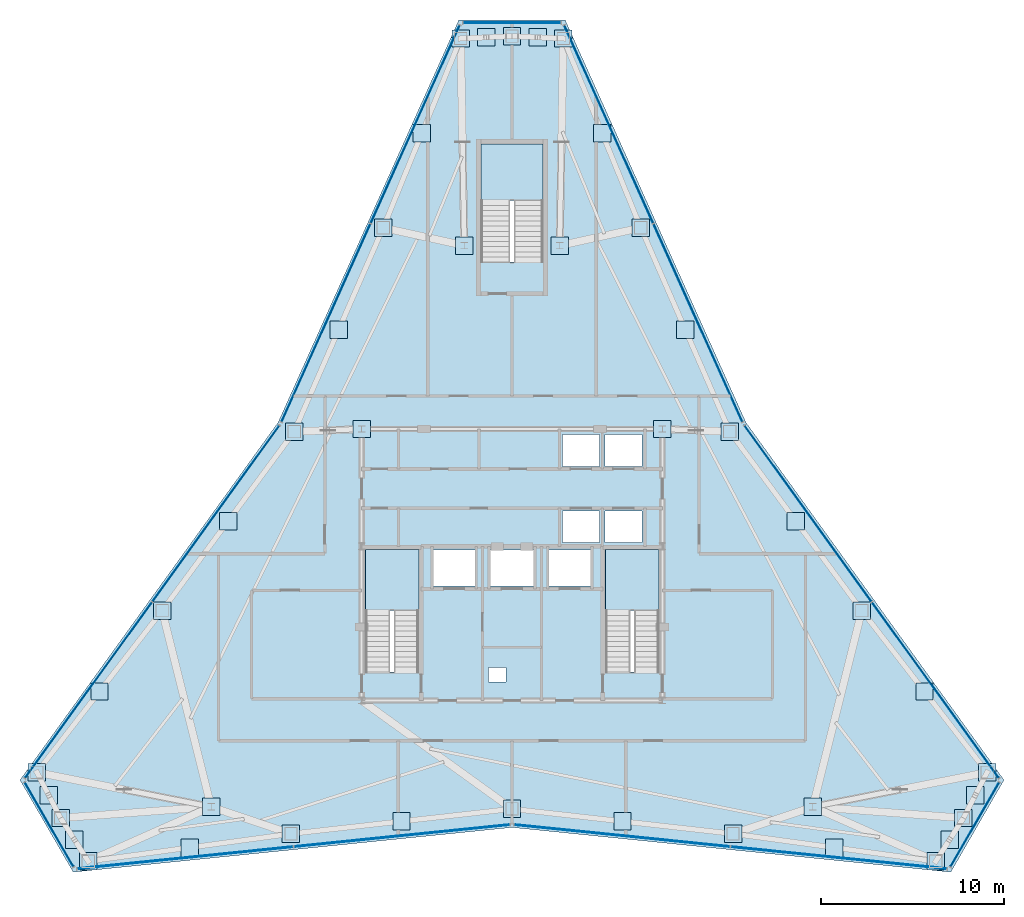
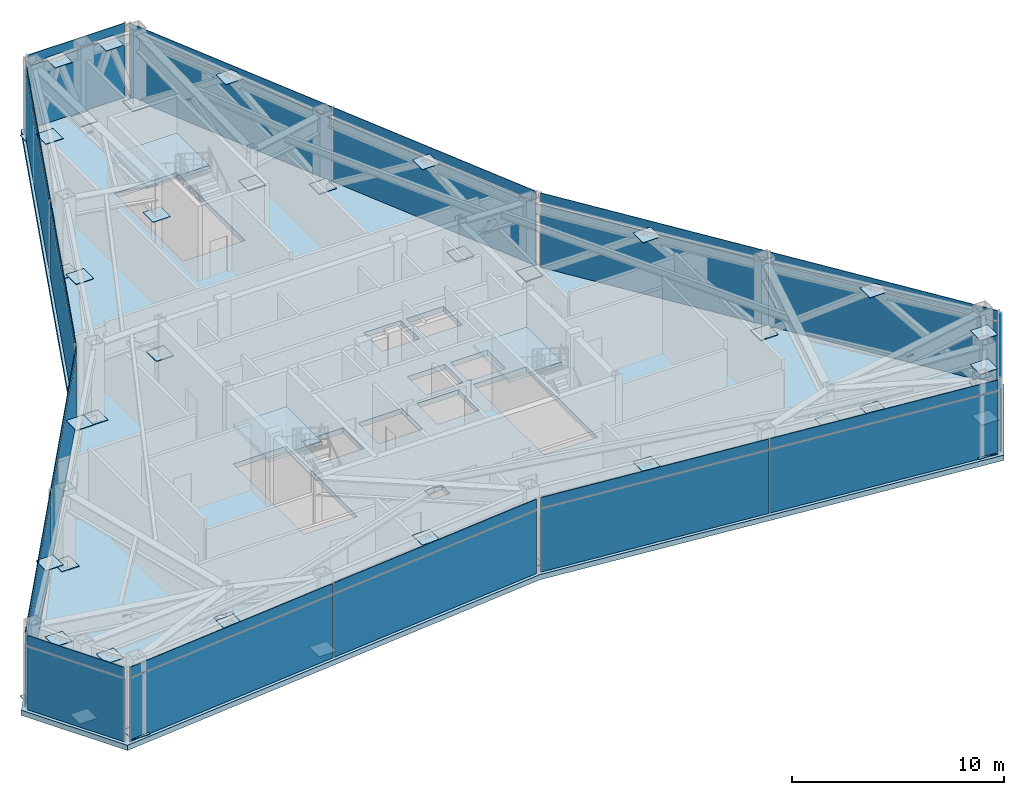
# One storey, part 8 of 12: 72 plates, 4 slabs, 12 elements without a shape of their own.
"""IFC4 building model written with IfcOpenShell, lengths in metres."""

from ifc_helpers import new_model, si_unit, direction, frame, origin, origin_2d, place, context, subcontext, project, spatial, polyline, rectangle, outline, extrude, source, transform, mapped, material, layer, layer_set, type_object, type_shapes, element, aggregate, save


model = new_model("IFC4")

# Units and contexts
model_context = context("Model", 3, precision=1e-05, world=origin(), true_north=direction((0.0, 1.0)))
body_context = subcontext(model_context, "Body", "Model", "MODEL_VIEW")
ifc_project = project(units=[si_unit("LENGTHUNIT", "METRE"), si_unit("AREAUNIT", "SQUARE_METRE"), si_unit("VOLUMEUNIT", "CUBIC_METRE"), si_unit("PLANEANGLEUNIT", "RADIAN"), si_unit("MASSUNIT", "GRAM", prefix="KILO")], contexts=[model_context])

# Site, building, storey
site_placement = place(None, origin())
site = spatial("IfcSite", under=ifc_project, at=site_placement, CompositionType="ELEMENT")
building_placement = place(site_placement, origin())
building = spatial("IfcBuilding", under=site, at=building_placement, Name="Varakhsha Concourse Tower", CompositionType="ELEMENT")
storey_placement = place(building_placement, frame((0.0, 0.0, 250.39990234375)))
storey = spatial("IfcBuildingStorey", under=building, at=storey_placement, Name="L71", CompositionType="ELEMENT", Elevation=250.39990234375)

# Slab
ifc_material_1 = material(Name="Concrete fc 45 MPa", Category="concrete")
ifc_layer_1 = layer(ifc_material_1, 0.300048828125, Name="SL-FLR-300")
ifc_layer_set_1 = layer_set([ifc_layer_1], Name="Concrete fc 45 MPa")
slab_type_1 = type_object("IfcSlabType", Name="SL-FLR-300", PredefinedType="FLOOR", material=ifc_layer_set_1)
slab_1_placement = place(storey_placement, frame((0.0, 0.0, -0.2998046875)))
element("IfcSlab", 1, at=slab_1_placement, inside=storey, type_object=slab_type_1, Name="L71 Composite Structural Slab", PredefinedType="FLOOR", context=body_context, shape_type="SweptSolid", body=[
    extrude(outline(polyline([(42.89990234375, 53.4970703125), (37.10009765625, 53.4970703125), (27.249267578125, 31.5615234375), (13.177978515625, 12.06298828125), (16.077880859375, 7.0400390625), (40.0, 9.476806640625), (63.922119140625, 7.0400390625), (66.822021484375, 12.06298828125), (52.750732421875, 31.5615234375), (42.89990234375, 53.4970703125)]), holes=[polyline([(34.919921875, 17.93994140625), (34.919921875, 24.6298828125), (32.0, 24.6298828125), (32.0, 17.93994140625), (34.919921875, 17.93994140625)]), polyline([(48.02001953125, 17.93994140625), (48.02001953125, 24.6298828125), (45.10009765625, 24.6298828125), (45.10009765625, 17.93994140625), (48.02001953125, 17.93994140625)]), polyline([(41.699951171875, 40.300048828125), (41.699951171875, 46.75), (38.300048828125, 46.75), (38.300048828125, 40.300048828125), (41.699951171875, 40.300048828125)]), polyline([(42.739990234375, 29.159912109375), (44.780029296875, 29.159912109375), (44.780029296875, 30.89990234375), (42.739990234375, 30.89990234375), (42.739990234375, 29.159912109375)]), polyline([(45.06005859375, 29.159912109375), (47.10009765625, 29.159912109375), (47.10009765625, 30.89990234375), (45.06005859375, 30.89990234375), (45.06005859375, 29.159912109375)]), polyline([(42.739990234375, 25.0), (44.780029296875, 25.0), (44.780029296875, 26.739990234375), (42.739990234375, 26.739990234375), (42.739990234375, 25.0)]), polyline([(45.06005859375, 25.0), (47.10009765625, 25.0), (47.10009765625, 26.739990234375), (45.06005859375, 26.739990234375), (45.06005859375, 25.0)]), polyline([(35.7099609375, 22.639892578125), (37.989990234375, 22.639892578125), (37.989990234375, 24.60009765625), (35.7099609375, 24.60009765625), (35.7099609375, 22.639892578125)]), polyline([(42.010009765625, 22.639892578125), (44.2900390625, 22.639892578125), (44.2900390625, 24.60009765625), (42.010009765625, 24.60009765625), (42.010009765625, 22.639892578125)]), polyline([(38.81005859375, 22.639892578125), (41.18994140625, 22.639892578125), (41.18994140625, 24.60009765625), (38.81005859375, 24.60009765625), (38.81005859375, 22.639892578125)]), polyline([(38.719970703125, 17.39990234375), (39.679931640625, 17.39990234375), (39.679931640625, 18.199951171875), (38.719970703125, 18.199951171875), (38.719970703125, 17.39990234375)])]), origin(), (0.0, 0.0, 1.0), 0.2998046875),
])

# Stair, slab
stair_type_1 = type_object("IfcStairType", Name="ST-DOGLEG-1360", PredefinedType="HALF_TURN_STAIR", material=ifc_material_1)
stair_1_placement = place(storey_placement, origin())
stair_1 = element("IfcStair", 2, at=stair_1_placement, inside=storey, type_object=stair_type_1, Name="L71 Protected Exit Stair ST1", PredefinedType="HALF_TURN_STAIR")
ifc_layer_2 = layer(ifc_material_1, 0.199951171875, Name="SL-LAND-200")
ifc_layer_set_2 = layer_set([ifc_layer_2], Name="Concrete fc 45 MPa")
slab_type_2 = type_object("IfcSlabType", Name="SL-LAND-200", PredefinedType="LANDING", material=ifc_layer_set_2)
slab_2_placement = place(storey_placement, frame((0.0, 0.0, 2.10009765625)))
slab_2 = element("IfcSlab", 3, at=slab_2_placement, type_object=slab_type_2, Name="ST1 landing 1", PredefinedType="LANDING", context=body_context, shape_type="SweptSolid", body=[
    extrude(outline(polyline([(34.919921875, 21.300048828125), (34.919921875, 24.6298828125), (32.0, 24.6298828125), (32.0, 21.300048828125), (34.919921875, 21.300048828125)])), origin(), (0.0, 0.0, 1.0), 0.199951171875),
])
aggregate(stair_1, [slab_2])

stair_2_placement = place(storey_placement, origin())
stair_2 = element("IfcStair", 4, at=stair_2_placement, inside=storey, type_object=stair_type_1, Name="L71 Protected Exit Stair ST2", PredefinedType="HALF_TURN_STAIR")
slab_3_placement = place(storey_placement, frame((0.0, 0.0, 2.10009765625)))
slab_3 = element("IfcSlab", 5, at=slab_3_placement, type_object=slab_type_2, Name="ST2 landing 1", PredefinedType="LANDING", context=body_context, shape_type="SweptSolid", body=[
    extrude(outline(polyline([(48.02001953125, 21.300048828125), (48.02001953125, 24.6298828125), (45.10009765625, 24.6298828125), (45.10009765625, 21.300048828125), (48.02001953125, 21.300048828125)])), origin(), (0.0, 0.0, 1.0), 0.199951171875),
])
aggregate(stair_2, [slab_3])

stair_type_2 = type_object("IfcStairType", Name="ST-DOGLEG-1600", PredefinedType="HALF_TURN_STAIR", material=ifc_material_1)
stair_3_placement = place(storey_placement, origin())
stair_3 = element("IfcStair", 6, at=stair_3_placement, inside=storey, type_object=stair_type_2, Name="L71 Protected Exit Stair ST5", PredefinedType="HALF_TURN_STAIR")
slab_4_placement = place(storey_placement, frame((0.0, 0.0, 2.10009765625)))
slab_4 = element("IfcSlab", 7, at=slab_4_placement, type_object=slab_type_2, Name="ST5 landing 1", PredefinedType="LANDING", context=body_context, shape_type="SweptSolid", body=[
    extrude(outline(polyline([(41.699951171875, 43.659912109375), (41.699951171875, 46.75), (38.300048828125, 46.75), (38.300048828125, 43.659912109375), (41.699951171875, 43.659912109375)])), origin(), (0.0, 0.0, 1.0), 0.199951171875),
])
aggregate(stair_3, [slab_4])

# Plates
ifc_material_2 = material(Name="Structural Steel ASTM A572 Grade 50", Category="steel")
ifc_layer_3 = layer(ifc_material_2, 0.030029296875, Name="PL-ENDCAP-950")
ifc_layer_set_3 = layer_set([ifc_layer_3], Name="Structural Steel ASTM A572 Grade 50")
plate_type_1 = type_object("IfcPlateType", Name="PL-ENDCAP-950", PredefinedType="USERDEFINED", material=ifc_layer_set_3)
shared_shape_1 = source(origin(), body_context, "Body", "SweptSolid", [
    extrude(rectangle(XDim=0.949951171875, YDim=0.949951171875, at=origin_2d()), origin(), (0.0, 0.0, 1.0), 0.030029296875),
])
type_shapes(plate_type_1, [shared_shape_1])
for number, where, z_axis, x_axis, name in (
    (8, (42.80029296875, 52.489990234375, 0.10498046875), (0.0, 0.0, 1.0), (1.0, 0.0, 0.0), "Hollow Section End Cap GP-NODE-L71-0724"),
    (9, (41.400146484375, 52.5537109375, 4.03515625), (0.0, 0.0, 1.0), (1.0, 0.0, 0.0), "Hollow Section End Cap GP-NODE-L71-0725"),
    (10, (40.0, 52.6171875, 0.10498046875), (0.0, 0.0, 1.0), (1.0, 0.0, 0.0), "Hollow Section End Cap GP-NODE-L71-0726"),
    (11, (38.599853515625, 52.5537109375, 4.03515625), (0.0, 0.0, 1.0), (1.0, 0.0, 0.0), "Hollow Section End Cap GP-NODE-L71-0727"),
    (12, (37.19970703125, 52.489990234375, 0.10498046875), (0.0, 0.0, 1.0), (1.0, 0.0, 0.0), "Hollow Section End Cap GP-NODE-L71-0728"),
    (13, (35.08837890625, 47.329345703125, 4.03515625), (0.0, 0.0, 1.0), (1.0, 0.0, 0.0), "Hollow Section End Cap GP-NODE-L71-0729"),
    (14, (32.977294921875, 42.168701171875, 0.10498046875), (0.0, 0.0, 1.0), (1.0, 0.0, 0.0), "Hollow Section End Cap GP-NODE-L71-0730"),
    (15, (30.551513671875, 36.6123046875, 4.03515625), (0.0, 0.0, 1.0), (1.0, 0.0, 0.0), "Hollow Section End Cap GP-NODE-L71-0731"),
    (16, (28.125732421875, 31.0556640625, 0.10498046875), (0.0, 0.0, 1.0), (1.0, 0.0, 0.0), "Hollow Section End Cap GP-NODE-L71-0732"),
    (17, (24.5263671875, 26.176513671875, 4.03515625), (0.0, 0.0, 1.0), (1.0, 0.0, 0.0), "Hollow Section End Cap GP-NODE-L71-0733"),
    (18, (20.92724609375, 21.29736328125, 0.10498046875), (0.0, 0.0, 1.0), (1.0, 0.0, 0.0), "Hollow Section End Cap GP-NODE-L71-0734"),
    (19, (17.513671875, 16.888671875, 4.03515625), (0.0, 0.0, 1.0), (1.0, 0.0, 0.0), "Hollow Section End Cap GP-NODE-L71-0735"),
    (20, (14.10009765625, 12.47998046875, 0.10498046875), (0.0, 0.0, 1.0), (1.0, 0.0, 0.0), "Hollow Section End Cap GP-NODE-L71-0736"),
    (21, (14.7451171875, 11.23583984375, 4.03515625), (0.0, 0.0, 1.0), (1.0, 0.0, 0.0), "Hollow Section End Cap GP-NODE-L71-0737"),
    (22, (15.39013671875, 9.991455078125, 0.10498046875), (0.0, 0.0, 1.0), (1.0, 0.0, 0.0), "Hollow Section End Cap GP-NODE-L71-0738"),
    (23, (16.145263671875, 8.810791015625, 4.03515625), (0.0, 0.0, 1.0), (1.0, 0.0, 0.0), "Hollow Section End Cap GP-NODE-L71-0739"),
    (24, (16.900390625, 7.6298828125, 0.10498046875), (0.0, 0.0, 1.0), (1.0, 0.0, 0.0), "Hollow Section End Cap GP-NODE-L71-0740"),
    (25, (22.425048828125, 8.3818359375, 4.03515625), (0.0, 0.0, 1.0), (1.0, 0.0, 0.0), "Hollow Section End Cap GP-NODE-L71-0741"),
    (26, (27.94970703125, 9.1337890625, 0.10498046875), (0.0, 0.0, 1.0), (1.0, 0.0, 0.0), "Hollow Section End Cap GP-NODE-L71-0742"),
    (27, (33.974853515625, 9.811279296875, 4.03515625), (0.0, 0.0, 1.0), (1.0, 0.0, 0.0), "Hollow Section End Cap GP-NODE-L71-0743"),
    (28, (40.0, 10.48876953125, 0.10498046875), (0.0, 0.0, 1.0), (1.0, 0.0, 0.0), "Hollow Section End Cap GP-NODE-L71-0744"),
    (29, (46.025146484375, 9.811279296875, 4.03515625), (0.0, 0.0, 1.0), (1.0, 0.0, 0.0), "Hollow Section End Cap GP-NODE-L71-0745"),
    (30, (52.05029296875, 9.1337890625, 0.10498046875), (0.0, 0.0, 1.0), (1.0, 0.0, 0.0), "Hollow Section End Cap GP-NODE-L71-0746"),
    (31, (57.574951171875, 8.3818359375, 4.03515625), (0.0, 0.0, 1.0), (1.0, 0.0, 0.0), "Hollow Section End Cap GP-NODE-L71-0747"),
    (32, (63.099609375, 7.6298828125, 0.10498046875), (0.0, 0.0, 1.0), (1.0, 0.0, 0.0), "Hollow Section End Cap GP-NODE-L71-0748"),
    (33, (63.854736328125, 8.810791015625, 4.03515625), (0.0, 0.0, 1.0), (1.0, 0.0, 0.0), "Hollow Section End Cap GP-NODE-L71-0749"),
    (34, (64.60986328125, 9.991455078125, 0.10498046875), (0.0, 0.0, 1.0), (1.0, 0.0, 0.0), "Hollow Section End Cap GP-NODE-L71-0750"),
    (35, (65.2548828125, 11.23583984375, 4.03515625), (0.0, 0.0, 1.0), (1.0, 0.0, 0.0), "Hollow Section End Cap GP-NODE-L71-0751"),
    (36, (65.89990234375, 12.47998046875, 0.10498046875), (0.0, 0.0, 1.0), (1.0, 0.0, 0.0), "Hollow Section End Cap GP-NODE-L71-0752"),
    (37, (62.486328125, 16.888671875, 4.03515625), (0.0, 0.0, 1.0), (1.0, 0.0, 0.0), "Hollow Section End Cap GP-NODE-L71-0753"),
    (38, (59.07275390625, 21.29736328125, 0.10498046875), (0.0, 0.0, 1.0), (1.0, 0.0, 0.0), "Hollow Section End Cap GP-NODE-L71-0754"),
    (39, (55.4736328125, 26.176513671875, 4.03515625), (0.0, 0.0, 1.0), (1.0, 0.0, 0.0), "Hollow Section End Cap GP-NODE-L71-0755"),
    (40, (51.874267578125, 31.0556640625, 0.10498046875), (0.0, 0.0, 1.0), (1.0, 0.0, 0.0), "Hollow Section End Cap GP-NODE-L71-0756"),
    (41, (49.448486328125, 36.6123046875, 4.03515625), (0.0, 0.0, 1.0), (1.0, 0.0, 0.0), "Hollow Section End Cap GP-NODE-L71-0757"),
    (42, (47.022705078125, 42.168701171875, 0.10498046875), (0.0, 0.0, 1.0), (1.0, 0.0, 0.0), "Hollow Section End Cap GP-NODE-L71-0758"),
    (43, (44.91162109375, 47.329345703125, 4.03515625), (0.0, 0.0, 1.0), (1.0, 0.0, 0.0), "Hollow Section End Cap GP-NODE-L71-0759"),
    (44, (42.60009765625, 41.199951171875, 2.43505859375), (0.0, 0.0, 1.0), (1.0, 0.0, 0.0), "Hollow Section End Cap GP-NODE-L71-0760"),
    (45, (37.39990234375, 41.199951171875, 2.43505859375), (0.0, 0.0, 1.0), (1.0, 0.0, 0.0), "Hollow Section End Cap GP-NODE-L71-0761"),
    (46, (31.800048828125, 31.199951171875, 2.43505859375), (0.0, 0.0, 1.0), (1.0, 0.0, 0.0), "Hollow Section End Cap GP-NODE-L71-0762"),
    (47, (23.60009765625, 10.60009765625, 2.43505859375), (0.0, 0.0, 1.0), (1.0, 0.0, 0.0), "Hollow Section End Cap GP-NODE-L71-0763"),
    (48, (56.39990234375, 10.60009765625, 2.43505859375), (0.0, 0.0, 1.0), (1.0, 0.0, 0.0), "Hollow Section End Cap GP-NODE-L71-0764"),
    (49, (48.199951171875, 31.199951171875, 2.43505859375), (0.0, 0.0, 1.0), (1.0, 0.0, 0.0), "Hollow Section End Cap GP-NODE-L71-0765"),
):
    element("IfcPlate", number, at=place(storey_placement, frame(where, z_axis=z_axis, x_axis=x_axis)), inside=storey, type_object=plate_type_1, Name=name, ObjectType="END PLATE", PredefinedType="USERDEFINED", context=body_context, shape_type="MappedRepresentation", body=[
        mapped(shared_shape_1, transform((0.0, 0.0, 0.0), scale=1.0)),
    ])

# Curtain wall, plate
ifc_material_3 = material(Name="Anodised Bronze Architectural Aluminium AA 6063-T6", Category="aluminium")
ifc_layer_4 = layer(ifc_material_3, 0.260009765625, Name="CW-SYS-06")
ifc_layer_set_4 = layer_set([ifc_layer_4], Name="Anodised Bronze Architectural Aluminium AA 6063-T6")
curtain_wall_type = type_object("IfcCurtainWallType", Name="CW-SYS-06", PredefinedType="NOTDEFINED", material=ifc_layer_set_4)
curtain_wall_1_placement = place(storey_placement, origin())
curtain_wall_1 = element("IfcCurtainWall", 50, at=curtain_wall_1_placement, inside=storey, type_object=curtain_wall_type, Name="L71 Chamfer Curtain Wall F1", PredefinedType="NOTDEFINED")
ifc_material_4 = material(Name="Extruded Bronze Storm-Proof Acoustic Louvre", Category="aluminium")
ifc_layer_5 = layer(ifc_material_4, 0.050048828125, Name="CWP-LVR-50")
ifc_layer_set_5 = layer_set([ifc_layer_5], Name="Extruded Bronze Storm-Proof Acoustic Louvre")
plate_type_2 = type_object("IfcPlateType", Name="CWP-LVR-50", PredefinedType="USERDEFINED", material=ifc_layer_set_5)
shared_shape_2 = source(origin(), body_context, "Body", "SweptSolid", [
    extrude(rectangle(XDim=5.291015625, YDim=0.050048828125, at=origin_2d()), origin(), (0.0, 0.0, 1.0), 3.635986328125),
])
plate_1_placement = place(storey_placement, frame((40.0, 53.337158203125, 0.0322265625), z_axis=(0.0, 0.0, 1.0), x_axis=(1.0, 0.0, 0.0)))
plate_1 = element("IfcPlate", 51, at=plate_1_placement, type_object=plate_type_2, Name="CW-L71-F1 Panel 00-00", ObjectType="LOUVRE", PredefinedType="USERDEFINED", context=body_context, shape_type="MappedRepresentation", body=[
    mapped(shared_shape_2, transform((0.0, 0.0, 0.0), scale=1.0)),
])

curtain_wall_2_placement = place(storey_placement, origin())
curtain_wall_2 = element("IfcCurtainWall", 52, at=curtain_wall_2_placement, inside=storey, type_object=curtain_wall_type, Name="L71 Chamfer Curtain Wall F4", PredefinedType="NOTDEFINED")
plate_2_placement = place(storey_placement, frame((14.7666015625, 9.631591796875, 0.0322265625), z_axis=(0.0, 0.0, 1.0), x_axis=(-0.5, 0.866025403784, 0.0)))
plate_2 = element("IfcPlate", 53, at=plate_2_placement, type_object=plate_type_2, Name="CW-L71-F4 Panel 00-00", ObjectType="LOUVRE", PredefinedType="USERDEFINED", context=body_context, shape_type="MappedRepresentation", body=[
    mapped(shared_shape_2, transform((0.0, 0.0, 0.0), scale=1.0)),
])

curtain_wall_3_placement = place(storey_placement, origin())
curtain_wall_3 = element("IfcCurtainWall", 54, at=curtain_wall_3_placement, inside=storey, type_object=curtain_wall_type, Name="L71 Chamfer Curtain Wall F7", PredefinedType="NOTDEFINED")
plate_3_placement = place(storey_placement, frame((65.2333984375, 9.631591796875, 0.0322265625), z_axis=(0.0, 0.0, 1.0), x_axis=(-0.5, -0.866025403784, 0.0)))
plate_3 = element("IfcPlate", 55, at=plate_3_placement, type_object=plate_type_2, Name="CW-L71-F7 Panel 00-00", ObjectType="LOUVRE", PredefinedType="USERDEFINED", context=body_context, shape_type="MappedRepresentation", body=[
    mapped(shared_shape_2, transform((0.0, 0.0, 0.0), scale=1.0)),
])

# Plate
ifc_material_5 = material(Name="Insulated Anodised Bronze Aluminium Spandrel 36 mm", Category="aluminium")
ifc_layer_6 = layer(ifc_material_5, 0.035888671875, Name="CWP-SPN-36")
ifc_layer_set_6 = layer_set([ifc_layer_6], Name="Insulated Anodised Bronze Aluminium Spandrel 36 mm")
plate_type_3 = type_object("IfcPlateType", Name="CWP-SPN-36", PredefinedType="USERDEFINED", material=ifc_layer_set_6)
shared_shape_3 = source(origin(), body_context, "Body", "SweptSolid", [
    extrude(rectangle(XDim=5.291015625, YDim=0.035888671875, at=origin_2d()), origin(), (0.0, 0.0, 1.0), 0.5859375),
])
plate_4_placement = place(storey_placement, frame((40.0, 53.337158203125, 3.732177734375), z_axis=(0.0, 0.0, 1.0), x_axis=(1.0, 0.0, 0.0)))
plate_4 = element("IfcPlate", 56, at=plate_4_placement, type_object=plate_type_3, Name="CW-L71-F1 Panel 00-01", ObjectType="SPANDREL", PredefinedType="USERDEFINED", context=body_context, shape_type="MappedRepresentation", body=[
    mapped(shared_shape_3, transform((0.0, 0.0, 0.0), scale=1.0)),
])

aggregate(curtain_wall_1, [plate_1, plate_4])

plate_5_placement = place(storey_placement, frame((14.7666015625, 9.631591796875, 3.732177734375), z_axis=(0.0, 0.0, 1.0), x_axis=(-0.5, 0.866025403784, 0.0)))
plate_5 = element("IfcPlate", 57, at=plate_5_placement, type_object=plate_type_3, Name="CW-L71-F4 Panel 00-01", ObjectType="SPANDREL", PredefinedType="USERDEFINED", context=body_context, shape_type="MappedRepresentation", body=[
    mapped(shared_shape_3, transform((0.0, 0.0, 0.0), scale=1.0)),
])

aggregate(curtain_wall_2, [plate_2, plate_5])

plate_6_placement = place(storey_placement, frame((65.2333984375, 9.631591796875, 3.732177734375), z_axis=(0.0, 0.0, 1.0), x_axis=(-0.5, -0.866025403784, 0.0)))
plate_6 = element("IfcPlate", 58, at=plate_6_placement, type_object=plate_type_3, Name="CW-L71-F7 Panel 00-01", ObjectType="SPANDREL", PredefinedType="USERDEFINED", context=body_context, shape_type="MappedRepresentation", body=[
    mapped(shared_shape_3, transform((0.0, 0.0, 0.0), scale=1.0)),
])

aggregate(curtain_wall_3, [plate_3, plate_6])

# Curtain wall, plates
curtain_wall_4_placement = place(storey_placement, origin())
curtain_wall_4 = element("IfcCurtainWall", 59, at=curtain_wall_4_placement, inside=storey, type_object=curtain_wall_type, Name="L71 Crystal Curtain Wall F2", PredefinedType="NOTDEFINED")
shared_shape_4 = source(origin(), body_context, "Body", "SweptSolid", [
    extrude(rectangle(XDim=11.803955078125, YDim=0.050048828125, at=origin_2d()), origin(), (0.0, 0.0, 1.0), 3.635986328125),
])
plate_7_placement = place(storey_placement, frame((29.85986328125, 36.984619140625, 0.0322265625), z_axis=(0.0, 0.0, 1.0), x_axis=(0.409661937266, 0.912237412714, 0.0)))
plate_7 = element("IfcPlate", 60, at=plate_7_placement, type_object=plate_type_2, Name="CW-L71-F2 Panel 00-00", ObjectType="LOUVRE", PredefinedType="USERDEFINED", context=body_context, shape_type="MappedRepresentation", body=[
    mapped(shared_shape_4, transform((0.0, 0.0, 0.0), scale=1.0)),
])
plate_8_placement = place(storey_placement, frame((34.723876953125, 47.8154296875, 0.0322265625), z_axis=(0.0, 0.0, 1.0), x_axis=(0.409661937266, 0.912237412714, 0.0)))
plate_8 = element("IfcPlate", 61, at=plate_8_placement, type_object=plate_type_2, Name="CW-L71-F2 Panel 01-00", ObjectType="LOUVRE", PredefinedType="USERDEFINED", context=body_context, shape_type="MappedRepresentation", body=[
    mapped(shared_shape_4, transform((0.0, 0.0, 0.0), scale=1.0)),
])

curtain_wall_5_placement = place(storey_placement, origin())
curtain_wall_5 = element("IfcCurtainWall", 62, at=curtain_wall_5_placement, inside=storey, type_object=curtain_wall_type, Name="L71 Crystal Curtain Wall F3", PredefinedType="NOTDEFINED")
plate_9_placement = place(storey_placement, frame((16.910400390625, 16.961669921875, 0.0322265625), z_axis=(0.0, 0.0, 1.0), x_axis=(0.585186974494, 0.810898393686, 0.0)))
plate_9 = element("IfcPlate", 63, at=plate_9_placement, type_object=plate_type_2, Name="CW-L71-F3 Panel 00-00", ObjectType="LOUVRE", PredefinedType="USERDEFINED", context=body_context, shape_type="MappedRepresentation", body=[
    mapped(shared_shape_4, transform((0.0, 0.0, 0.0), scale=1.0)),
])
plate_10_placement = place(storey_placement, frame((23.8583984375, 26.58935546875, 0.0322265625), z_axis=(0.0, 0.0, 1.0), x_axis=(0.585186974494, 0.810898393686, 0.0)))
plate_10 = element("IfcPlate", 64, at=plate_10_placement, type_object=plate_type_2, Name="CW-L71-F3 Panel 01-00", ObjectType="LOUVRE", PredefinedType="USERDEFINED", context=body_context, shape_type="MappedRepresentation", body=[
    mapped(shared_shape_4, transform((0.0, 0.0, 0.0), scale=1.0)),
])

# Curtain wall, plate
curtain_wall_6_placement = place(storey_placement, origin())
curtain_wall_6 = element("IfcCurtainWall", 65, at=curtain_wall_6_placement, inside=storey, type_object=curtain_wall_type, Name="L71 Crystal Curtain Wall F5", PredefinedType="NOTDEFINED")
plate_11_placement = place(storey_placement, frame((22.1865234375, 7.822998046875, 0.0322265625), z_axis=(0.0, 0.0, 1.0), x_axis=(-0.994852272933, -0.101335852689, 0.0)))
plate_11 = element("IfcPlate", 66, at=plate_11_placement, type_object=plate_type_2, Name="CW-L71-F5 Panel 01-00", ObjectType="LOUVRE", PredefinedType="USERDEFINED", context=body_context, shape_type="MappedRepresentation", body=[
    mapped(shared_shape_4, transform((0.0, 0.0, 0.0), scale=1.0)),
])

curtain_wall_7_placement = place(storey_placement, origin())
curtain_wall_7 = element("IfcCurtainWall", 67, at=curtain_wall_7_placement, inside=storey, type_object=curtain_wall_type, Name="L71 Crystal Curtain Wall F6", PredefinedType="NOTDEFINED")
plate_12_placement = place(storey_placement, frame((46.001708984375, 9.026123046875, 0.0322265625), z_axis=(0.0, 0.0, 1.0), x_axis=(-0.994852272933, 0.101335852689, 0.0)))
plate_12 = element("IfcPlate", 68, at=plate_12_placement, type_object=plate_type_2, Name="CW-L71-F6 Panel 01-00", ObjectType="LOUVRE", PredefinedType="USERDEFINED", context=body_context, shape_type="MappedRepresentation", body=[
    mapped(shared_shape_4, transform((0.0, 0.0, 0.0), scale=1.0)),
])

# Curtain wall, plates
curtain_wall_8_placement = place(storey_placement, origin())
curtain_wall_8 = element("IfcCurtainWall", 69, at=curtain_wall_8_placement, inside=storey, type_object=curtain_wall_type, Name="L71 Crystal Curtain Wall F8", PredefinedType="NOTDEFINED")
plate_13_placement = place(storey_placement, frame((56.1416015625, 26.589111328125, 0.0322265625), z_axis=(0.0, 0.0, 1.0), x_axis=(0.585186974494, -0.810898393686, 0.0)))
plate_13 = element("IfcPlate", 70, at=plate_13_placement, type_object=plate_type_2, Name="CW-L71-F8 Panel 00-00", ObjectType="LOUVRE", PredefinedType="USERDEFINED", context=body_context, shape_type="MappedRepresentation", body=[
    mapped(shared_shape_4, transform((0.0, 0.0, 0.0), scale=1.0)),
])
plate_14_placement = place(storey_placement, frame((63.089599609375, 16.96142578125, 0.0322265625), z_axis=(0.0, 0.0, 1.0), x_axis=(0.585186974494, -0.810898393686, 0.0)))
plate_14 = element("IfcPlate", 71, at=plate_14_placement, type_object=plate_type_2, Name="CW-L71-F8 Panel 01-00", ObjectType="LOUVRE", PredefinedType="USERDEFINED", context=body_context, shape_type="MappedRepresentation", body=[
    mapped(shared_shape_4, transform((0.0, 0.0, 0.0), scale=1.0)),
])

curtain_wall_9_placement = place(storey_placement, origin())
curtain_wall_9 = element("IfcCurtainWall", 72, at=curtain_wall_9_placement, inside=storey, type_object=curtain_wall_type, Name="L71 Crystal Curtain Wall F9", PredefinedType="NOTDEFINED")
plate_15_placement = place(storey_placement, frame((45.276123046875, 47.8154296875, 0.0322265625), z_axis=(0.0, 0.0, 1.0), x_axis=(0.409661937266, -0.912237412714, 0.0)))
plate_15 = element("IfcPlate", 73, at=plate_15_placement, type_object=plate_type_2, Name="CW-L71-F9 Panel 00-00", ObjectType="LOUVRE", PredefinedType="USERDEFINED", context=body_context, shape_type="MappedRepresentation", body=[
    mapped(shared_shape_4, transform((0.0, 0.0, 0.0), scale=1.0)),
])
plate_16_placement = place(storey_placement, frame((50.139892578125, 36.984619140625, 0.0322265625), z_axis=(0.0, 0.0, 1.0), x_axis=(0.409661937266, -0.912237412714, 0.0)))
plate_16 = element("IfcPlate", 74, at=plate_16_placement, type_object=plate_type_2, Name="CW-L71-F9 Panel 01-00", ObjectType="LOUVRE", PredefinedType="USERDEFINED", context=body_context, shape_type="MappedRepresentation", body=[
    mapped(shared_shape_4, transform((0.0, 0.0, 0.0), scale=1.0)),
])

# Plate
shared_shape_5 = source(origin(), body_context, "Body", "SweptSolid", [
    extrude(rectangle(XDim=11.803955078125, YDim=0.035888671875, at=origin_2d()), origin(), (0.0, 0.0, 1.0), 0.5859375),
])
plate_17_placement = place(storey_placement, frame((29.85986328125, 36.984619140625, 3.732177734375), z_axis=(0.0, 0.0, 1.0), x_axis=(0.409661937266, 0.912237412714, 0.0)))
plate_17 = element("IfcPlate", 75, at=plate_17_placement, type_object=plate_type_3, Name="CW-L71-F2 Panel 00-01", ObjectType="SPANDREL", PredefinedType="USERDEFINED", context=body_context, shape_type="MappedRepresentation", body=[
    mapped(shared_shape_5, transform((0.0, 0.0, 0.0), scale=1.0)),
])

plate_18_placement = place(storey_placement, frame((34.723876953125, 47.8154296875, 3.732177734375), z_axis=(0.0, 0.0, 1.0), x_axis=(0.409661937266, 0.912237412714, 0.0)))
plate_18 = element("IfcPlate", 76, at=plate_18_placement, type_object=plate_type_3, Name="CW-L71-F2 Panel 01-01", ObjectType="SPANDREL", PredefinedType="USERDEFINED", context=body_context, shape_type="MappedRepresentation", body=[
    mapped(shared_shape_5, transform((0.0, 0.0, 0.0), scale=1.0)),
])

aggregate(curtain_wall_4, [plate_7, plate_17, plate_8, plate_18])

plate_19_placement = place(storey_placement, frame((16.910400390625, 16.961669921875, 3.732177734375), z_axis=(0.0, 0.0, 1.0), x_axis=(0.585186974494, 0.810898393686, 0.0)))
plate_19 = element("IfcPlate", 77, at=plate_19_placement, type_object=plate_type_3, Name="CW-L71-F3 Panel 00-01", ObjectType="SPANDREL", PredefinedType="USERDEFINED", context=body_context, shape_type="MappedRepresentation", body=[
    mapped(shared_shape_5, transform((0.0, 0.0, 0.0), scale=1.0)),
])

plate_20_placement = place(storey_placement, frame((23.8583984375, 26.58935546875, 3.732177734375), z_axis=(0.0, 0.0, 1.0), x_axis=(0.585186974494, 0.810898393686, 0.0)))
plate_20 = element("IfcPlate", 78, at=plate_20_placement, type_object=plate_type_3, Name="CW-L71-F3 Panel 01-01", ObjectType="SPANDREL", PredefinedType="USERDEFINED", context=body_context, shape_type="MappedRepresentation", body=[
    mapped(shared_shape_5, transform((0.0, 0.0, 0.0), scale=1.0)),
])

aggregate(curtain_wall_5, [plate_9, plate_19, plate_10, plate_20])

plate_21_placement = place(storey_placement, frame((22.1865234375, 7.822998046875, 3.732177734375), z_axis=(0.0, 0.0, 1.0), x_axis=(-0.994852272933, -0.101335852689, 0.0)))
plate_21 = element("IfcPlate", 79, at=plate_21_placement, type_object=plate_type_3, Name="CW-L71-F5 Panel 01-01", ObjectType="SPANDREL", PredefinedType="USERDEFINED", context=body_context, shape_type="MappedRepresentation", body=[
    mapped(shared_shape_5, transform((0.0, 0.0, 0.0), scale=1.0)),
])

plate_22_placement = place(storey_placement, frame((46.001708984375, 9.026123046875, 3.732177734375), z_axis=(0.0, 0.0, 1.0), x_axis=(-0.994852272933, 0.101335852689, 0.0)))
plate_22 = element("IfcPlate", 80, at=plate_22_placement, type_object=plate_type_3, Name="CW-L71-F6 Panel 01-01", ObjectType="SPANDREL", PredefinedType="USERDEFINED", context=body_context, shape_type="MappedRepresentation", body=[
    mapped(shared_shape_5, transform((0.0, 0.0, 0.0), scale=1.0)),
])

plate_23_placement = place(storey_placement, frame((56.1416015625, 26.589111328125, 3.732177734375), z_axis=(0.0, 0.0, 1.0), x_axis=(0.585186974494, -0.810898393686, 0.0)))
plate_23 = element("IfcPlate", 81, at=plate_23_placement, type_object=plate_type_3, Name="CW-L71-F8 Panel 00-01", ObjectType="SPANDREL", PredefinedType="USERDEFINED", context=body_context, shape_type="MappedRepresentation", body=[
    mapped(shared_shape_5, transform((0.0, 0.0, 0.0), scale=1.0)),
])

plate_24_placement = place(storey_placement, frame((63.089599609375, 16.96142578125, 3.732177734375), z_axis=(0.0, 0.0, 1.0), x_axis=(0.585186974494, -0.810898393686, 0.0)))
plate_24 = element("IfcPlate", 82, at=plate_24_placement, type_object=plate_type_3, Name="CW-L71-F8 Panel 01-01", ObjectType="SPANDREL", PredefinedType="USERDEFINED", context=body_context, shape_type="MappedRepresentation", body=[
    mapped(shared_shape_5, transform((0.0, 0.0, 0.0), scale=1.0)),
])

aggregate(curtain_wall_8, [plate_13, plate_23, plate_14, plate_24])

plate_25_placement = place(storey_placement, frame((45.276123046875, 47.8154296875, 3.732177734375), z_axis=(0.0, 0.0, 1.0), x_axis=(0.409661937266, -0.912237412714, 0.0)))
plate_25 = element("IfcPlate", 83, at=plate_25_placement, type_object=plate_type_3, Name="CW-L71-F9 Panel 00-01", ObjectType="SPANDREL", PredefinedType="USERDEFINED", context=body_context, shape_type="MappedRepresentation", body=[
    mapped(shared_shape_5, transform((0.0, 0.0, 0.0), scale=1.0)),
])

plate_26_placement = place(storey_placement, frame((50.139892578125, 36.984619140625, 3.732177734375), z_axis=(0.0, 0.0, 1.0), x_axis=(0.409661937266, -0.912237412714, 0.0)))
plate_26 = element("IfcPlate", 84, at=plate_26_placement, type_object=plate_type_3, Name="CW-L71-F9 Panel 01-01", ObjectType="SPANDREL", PredefinedType="USERDEFINED", context=body_context, shape_type="MappedRepresentation", body=[
    mapped(shared_shape_5, transform((0.0, 0.0, 0.0), scale=1.0)),
])

aggregate(curtain_wall_9, [plate_15, plate_25, plate_16, plate_26])

shared_shape_6 = source(origin(), body_context, "Body", "SweptSolid", [
    extrude(rectangle(XDim=11.8037109375, YDim=0.050048828125, at=origin_2d()), origin(), (0.0, 0.0, 1.0), 3.635986328125),
])
type_shapes(plate_type_2, [shared_shape_2, shared_shape_4, shared_shape_6])
plate_27_placement = place(storey_placement, frame((33.998291015625, 9.026123046875, 0.0322265625), z_axis=(0.0, 0.0, 1.0), x_axis=(-0.994852272933, -0.101335852689, 0.0)))
plate_27 = element("IfcPlate", 85, at=plate_27_placement, type_object=plate_type_2, Name="CW-L71-F5 Panel 00-00", ObjectType="LOUVRE", PredefinedType="USERDEFINED", context=body_context, shape_type="MappedRepresentation", body=[
    mapped(shared_shape_6, transform((0.0, 0.0, 0.0), scale=1.0)),
])

plate_28_placement = place(storey_placement, frame((57.8134765625, 7.822998046875, 0.0322265625), z_axis=(0.0, 0.0, 1.0), x_axis=(-0.994852272933, 0.101335852689, 0.0)))
plate_28 = element("IfcPlate", 86, at=plate_28_placement, type_object=plate_type_2, Name="CW-L71-F6 Panel 00-00", ObjectType="LOUVRE", PredefinedType="USERDEFINED", context=body_context, shape_type="MappedRepresentation", body=[
    mapped(shared_shape_6, transform((0.0, 0.0, 0.0), scale=1.0)),
])

shared_shape_7 = source(origin(), body_context, "Body", "SweptSolid", [
    extrude(rectangle(XDim=11.8037109375, YDim=0.035888671875, at=origin_2d()), origin(), (0.0, 0.0, 1.0), 0.5859375),
])
type_shapes(plate_type_3, [shared_shape_3, shared_shape_5, shared_shape_7])
plate_29_placement = place(storey_placement, frame((33.998291015625, 9.026123046875, 3.732177734375), z_axis=(0.0, 0.0, 1.0), x_axis=(-0.994852272933, -0.101335852689, 0.0)))
plate_29 = element("IfcPlate", 87, at=plate_29_placement, type_object=plate_type_3, Name="CW-L71-F5 Panel 00-01", ObjectType="SPANDREL", PredefinedType="USERDEFINED", context=body_context, shape_type="MappedRepresentation", body=[
    mapped(shared_shape_7, transform((0.0, 0.0, 0.0), scale=1.0)),
])

aggregate(curtain_wall_6, [plate_27, plate_29, plate_11, plate_21])

plate_30_placement = place(storey_placement, frame((57.8134765625, 7.822998046875, 3.732177734375), z_axis=(0.0, 0.0, 1.0), x_axis=(-0.994852272933, 0.101335852689, 0.0)))
plate_30 = element("IfcPlate", 88, at=plate_30_placement, type_object=plate_type_3, Name="CW-L71-F6 Panel 00-01", ObjectType="SPANDREL", PredefinedType="USERDEFINED", context=body_context, shape_type="MappedRepresentation", body=[
    mapped(shared_shape_7, transform((0.0, 0.0, 0.0), scale=1.0)),
])

aggregate(curtain_wall_7, [plate_28, plate_30, plate_12, plate_22])

save(model, "model.ifc")
